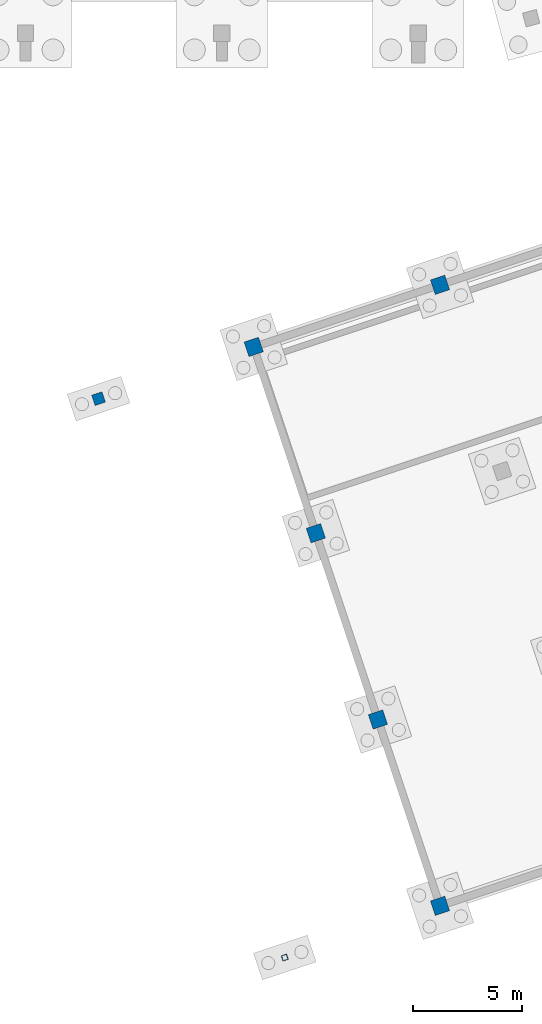
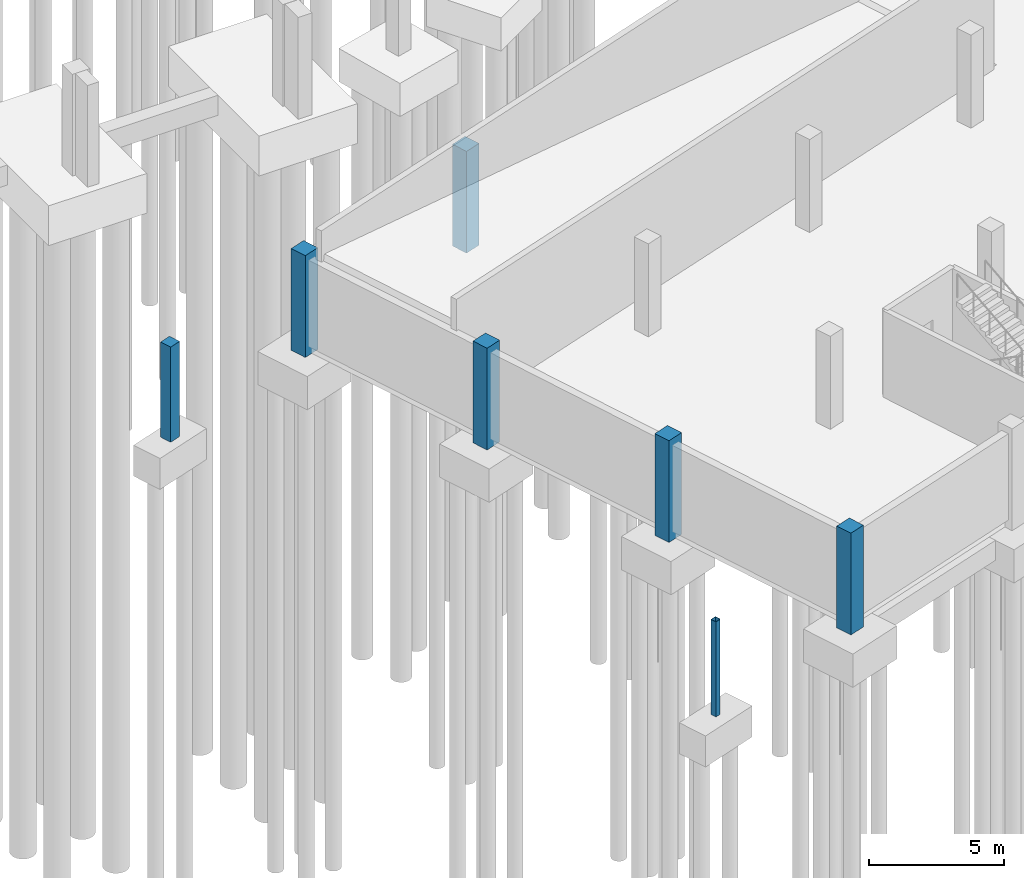
# One storey, part 10 of 36: 7 columns.
"""IFC4 building model written with IfcOpenShell, lengths in metres."""

from ifc_helpers import new_model, si_unit, derived_unit, direction, frame, origin, origin_2d, place, context, subcontext, project, spatial, rectangle, hollow_rectangle, extrude, material, material_profile, profile_set, type_object, element, save


model = new_model("IFC4")

# Units and contexts
model_context = context("Model", 3, precision=1e-05, world=origin(), true_north=direction((0.0, 1.0)))
body_context = subcontext(model_context, "Body", "Model", "MODEL_VIEW")
ifc_project = project(units=[si_unit("LENGTHUNIT", "METRE"), si_unit("AREAUNIT", "SQUARE_METRE"), si_unit("VOLUMEUNIT", "CUBIC_METRE"), si_unit("PLANEANGLEUNIT", "RADIAN"), si_unit("MASSUNIT", "GRAM", prefix="KILO"), si_unit("THERMODYNAMICTEMPERATUREUNIT", "KELVIN"), si_unit("TIMEUNIT", "SECOND"), derived_unit("THERMALTRANSMITTANCEUNIT", [(si_unit("MASSUNIT", "GRAM", prefix="KILO"), 1), (si_unit("THERMODYNAMICTEMPERATUREUNIT", "KELVIN"), -1), (si_unit("TIMEUNIT", "SECOND"), -3)])], contexts=[model_context])

# Site, building, storey
site_placement = place(None, origin())
site = spatial("IfcSite", under=ifc_project, at=site_placement, CompositionType="ELEMENT")
building_placement = place(site_placement, origin())
building = spatial("IfcBuilding", under=site, at=building_placement, Name="Cambertide Market Hall", CompositionType="ELEMENT")
storey_placement = place(building_placement, frame((0.0, 0.0, -4.199951171875)))
storey = spatial("IfcBuildingStorey", under=building, at=storey_placement, Name="B1", CompositionType="ELEMENT", Elevation=-4.199951171875)

# Columns
ifc_material_1 = material(Name="Concrete B30", Category="concrete")
ifc_material_profile_1 = material_profile(ifc_material_1, rectangle(XDim=0.5, YDim=0.5, at=origin_2d()), Name="RC 500x500")
ifc_profile_set_1 = profile_set([ifc_material_profile_1], Name="Concrete B30")
column_type_1 = type_object("IfcColumnType", Name="Concrete Column RC 500x500", PredefinedType="COLUMN", material=ifc_profile_set_1)
column_1_placement = place(storey_placement, frame((90.3466796875, 35.24267578125, -0.400146484375), z_axis=(0.0, 0.0, 1.0), x_axis=(0.94868329805, 0.316227766018, 0.0)))
element("IfcColumn", 1, at=column_1_placement, inside=storey, type_object=column_type_1, Name="Basement 1 Column COL-V3APR-2-B1", PredefinedType="COLUMN", context=body_context, shape_type="SweptSolid", body=[
    extrude(rectangle(XDim=0.5, YDim=0.5, at=origin_2d()), origin(), (0.0, 0.0, 1.0), 4.300048828125),
])
ifc_material_2 = material(Name="Concrete B35", Category="concrete")
ifc_material_profile_2 = material_profile(ifc_material_2, rectangle(XDim=0.699951171875, YDim=0.699951171875, at=origin_2d()), Name="RC 700x700")
ifc_profile_set_2 = profile_set([ifc_material_profile_2], Name="Concrete B35")
column_type_2 = type_object("IfcColumnType", Name="Concrete Column RC 700x700", PredefinedType="COLUMN", material=ifc_profile_set_2)
for number, where, z_axis, x_axis, name in (
    (2, (106.0, 12.0, -0.400146484375), (0.0, 0.0, 1.0), (0.94868329805, 0.316227766018, 0.0), "Basement 1 Column COL-V3-1-1-B1"),
    (3, (103.154052734375, 20.5380859375, -0.400146484375), (0.0, 0.0, 1.0), (0.94868329805, 0.316227766018, 0.0), "Basement 1 Column COL-V3-1-2-B1"),
    (4, (100.307861328125, 29.076416015625, -0.400146484375), (0.0, 0.0, 1.0), (0.94868329805, 0.316227766018, 0.0), "Basement 1 Column COL-V3-1-3-B1"),
    (5, (97.4619140625, 37.614501953125, -0.400146484375), (0.0, 0.0, 1.0), (0.94868329805, 0.316227766018, 0.0), "Basement 1 Column COL-V3-1-4-B1"),
    (6, (106.0, 40.46044921875, -0.400146484375), (0.0, 0.0, 1.0), (0.94868329805, 0.316227766018, 0.0), "Basement 1 Column COL-V3-2-4-B1"),
):
    element("IfcColumn", number, at=place(storey_placement, frame(where, z_axis=z_axis, x_axis=x_axis)), inside=storey, type_object=column_type_2, Name=name, PredefinedType="COLUMN", context=body_context, shape_type="SweptSolid", body=[
        extrude(rectangle(XDim=0.699951171875, YDim=0.699951171875, at=origin_2d()), origin(), (0.0, 0.0, 1.0), 4.60009765625),
    ])
ifc_material_3 = material(Name="Steel S355", Category="steel")
ifc_material_profile_3 = material_profile(ifc_material_3, hollow_rectangle(XDim=0.25, YDim=0.25, WallThickness=0.010009765625, InnerFilletRadius=0.010009765625, OuterFilletRadius=0.02001953125, at=origin_2d()), Name="SHS 250x250x10")
ifc_profile_set_3 = profile_set([ifc_material_profile_3], Name="Steel S355")
column_type_3 = type_object("IfcColumnType", Name="Steel Column SHS 250x250x10", PredefinedType="COLUMN", material=ifc_profile_set_3)
column_2_placement = place(storey_placement, frame((98.884765625, 9.628173828125, -0.400146484375), z_axis=(0.0, 0.0, 1.0), x_axis=(0.94868329805, 0.316227766018, 0.0)))
element("IfcColumn", 7, at=column_2_placement, inside=storey, type_object=column_type_3, Name="Basement 1 Column COL-V3APR-1-B1", PredefinedType="COLUMN", context=body_context, shape_type="SweptSolid", body=[
    extrude(hollow_rectangle(XDim=0.25, YDim=0.25, WallThickness=0.010009765625, InnerFilletRadius=0.010009765625, OuterFilletRadius=0.02001953125, at=origin_2d()), origin(), (0.0, 0.0, 1.0), 4.300048828125),
])

save(model, "model.ifc")
